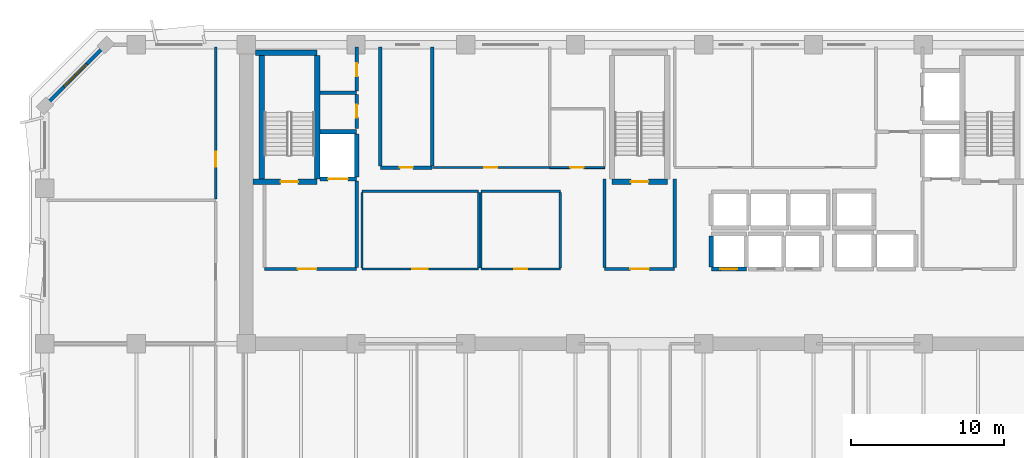
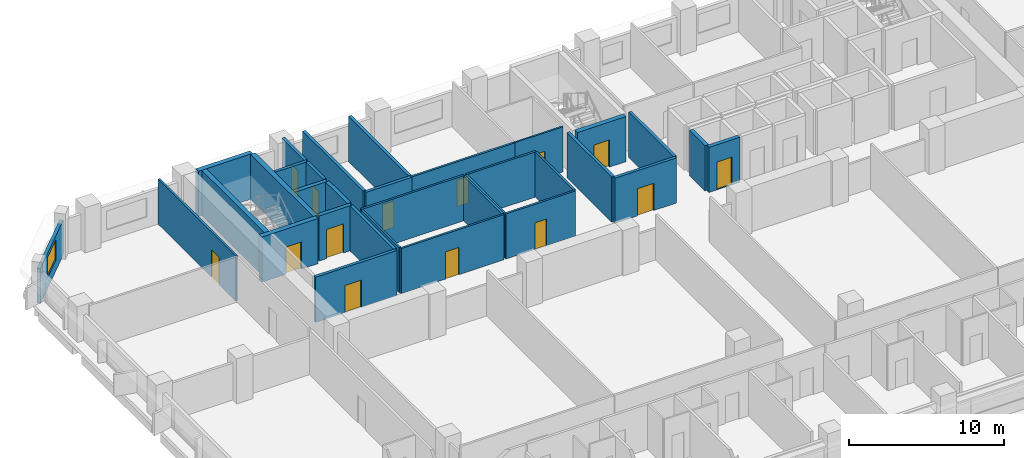
# One storey, part 7 of 15: 33 walls, 14 doors, 1 window, 15 openings.
"""IFC4 building model written with IfcOpenShell, lengths in metres."""

from ifc_helpers import new_model, si_unit, direction, frame, frame_2d, origin, place, context, subcontext, project, spatial, rectangle, extrude, material, layer, layer_set, type_object, element, fill, save


model = new_model("IFC4")

# Units and contexts
model_context = context("Model", 3, precision=1e-05, world=origin(), true_north=direction((0.0, 1.0)))
body_context = subcontext(model_context, "Body", "Model", "MODEL_VIEW")
ifc_project = project(units=[si_unit("LENGTHUNIT", "METRE"), si_unit("AREAUNIT", "SQUARE_METRE"), si_unit("VOLUMEUNIT", "CUBIC_METRE"), si_unit("PLANEANGLEUNIT", "RADIAN"), si_unit("MASSUNIT", "GRAM", prefix="KILO")], contexts=[model_context])

# Site, building, storey
site_placement = place(None, origin())
site = spatial("IfcSite", under=ifc_project, at=site_placement, CompositionType="ELEMENT")
building_placement = place(site_placement, origin())
building = spatial("IfcBuilding", under=site, at=building_placement, Name="Kaelvorn Grand Hotel", CompositionType="ELEMENT")
storey_placement = place(building_placement, frame((0.0, 0.0, 142.949951171875)))
storey = spatial("IfcBuildingStorey", under=building, at=storey_placement, Name="L34", CompositionType="ELEMENT", Elevation=142.949951171875)

# Wall, opening, window
ifc_material_1 = material(Name="Concrete C40/50", Category="concrete")
ifc_layer_1 = layer(ifc_material_1, 0.239990234375)
ifc_layer_set_1 = layer_set([ifc_layer_1], Name="Concrete C40/50")
wall_type_1 = type_object("IfcWallType", Name="WL-EXT-240-C40", PredefinedType="SOLIDWALL", material=ifc_layer_set_1)
wall_1_placement = place(storey_placement, frame((7.0, 49.0, 0.0), z_axis=(0.0, 0.0, 1.0), x_axis=(-0.707106781187, -0.707106781187, 0.0)))
wall_1 = element("IfcWall", 1, at=wall_1_placement, inside=storey, type_object=wall_type_1, Name="L34 Exterior Architectural Concrete Wall 06", PredefinedType="SOLIDWALL", context=body_context, shape_type="SweptSolid", body=[
    extrude(rectangle(XDim=5.65673828125, YDim=0.239990234375, at=frame_2d((2.828369140625, 0.0))), origin(), (0.0, 0.0, 1.0), 2.760009765625),
])
opening_1_placement = place(wall_1_placement, frame((1.7783203125, 0.0, 0.85009765625)))
opening_1 = element("IfcOpeningElement", 2, at=opening_1_placement, cuts=wall_1, Name="Opening W7", PredefinedType="OPENING", context=body_context, shape_type="SweptSolid", body=[
    extrude(rectangle(XDim=2.10009765625, YDim=1.60009765625, at=frame_2d((1.050048828125, 0.800048828125))), frame((0.0, 0.1298828125, 0.0), z_axis=(0.0, -1.0, 0.0), x_axis=(1.0, 0.0, 0.0)), (0.0, 0.0, 1.0), 0.260009765625),
])
ifc_material_2 = material(Name="Laminated Low-E Glass", Category="glass")
window_type = type_object("IfcWindowType", Name="WIN-CHM-2100x1600", PartitioningType="SINGLE_PANEL", PredefinedType="WINDOW", material=ifc_material_2)
window_placement = place(opening_1_placement, origin())
window = element("IfcWindow", 3, at=window_placement, inside=storey, type_object=window_type, Name="L34 Chamfered 45-Degree Corner Window NW", OverallHeight=1.60009765625, OverallWidth=2.10009765625, PartitioningType="SINGLE_PANEL", PredefinedType="WINDOW", context=body_context, shape_type="SweptSolid", body=[
    extrude(rectangle(XDim=2.10009765625, YDim=1.60009765625, at=frame_2d((1.050048828125, 0.800048828125))), frame((0.0, 0.030029296875, 0.0), z_axis=(0.0, -1.0, 0.0), x_axis=(1.0, 0.0, 0.0)), (0.0, 0.0, 1.0), 0.06005859375),
])
fill(opening_1, window)

# Wall, opening, door
ifc_material_3 = material(Name="Moisture-Resistant Tile & Stud Board")
ifc_layer_2 = layer(ifc_material_3, 0.125)
ifc_layer_set_2 = layer_set([ifc_layer_2], Name="Moisture-Resistant Tile & Stud Board")
wall_type_2 = type_object("IfcWallType", Name="WL-PART-125-WET", PredefinedType="PARTITIONING", material=ifc_layer_set_2)
wall_2_placement = place(storey_placement, frame((36.110107421875, 40.949951171875, 0.0), z_axis=(0.0, 0.0, 1.0), x_axis=(1.0, 0.0, 0.0)))
wall_2 = element("IfcWall", 4, at=wall_2_placement, inside=storey, type_object=wall_type_2, Name="L34 Accessible WC S Partition", PredefinedType="PARTITIONING", context=body_context, shape_type="SweptSolid", body=[
    extrude(rectangle(XDim=3.58984375, YDim=0.125, at=frame_2d((1.794921875, 0.0))), origin(), (0.0, 0.0, 1.0), 3.56005859375),
])
opening_2_placement = place(wall_2_placement, frame((1.340087890625, 0.0, 0.0)))
opening_2 = element("IfcOpeningElement", 5, at=opening_2_placement, cuts=wall_2, Name="Opening DI4", PredefinedType="OPENING", context=body_context, shape_type="SweptSolid", body=[
    extrude(rectangle(XDim=0.89990234375, YDim=2.10009765625, at=frame_2d((0.449951171875, 1.050048828125))), frame((0.0, 0.072509765625, 0.0), z_axis=(0.0, -1.0, 0.0), x_axis=(1.0, 0.0, 0.0)), (0.0, 0.0, 1.0), 0.14501953125),
])
ifc_material_4 = material(Name="Timber Veneer Leaf", Category="wood")
door_type_1 = type_object("IfcDoorType", Name="DR-INT-BATH-900x2100", OperationType="NOTDEFINED", PredefinedType="DOOR", material=ifc_material_4)
door_1_placement = place(opening_2_placement, origin())
door_1 = element("IfcDoor", 6, at=door_1_placement, inside=storey, type_object=door_type_1, Name="L34 Accessible WC Door", OperationType="SINGLE_SWING_RIGHT", OverallHeight=2.10009765625, OverallWidth=0.89990234375, PredefinedType="DOOR", context=body_context, shape_type="SweptSolid", body=[
    extrude(rectangle(XDim=0.89990234375, YDim=2.10009765625, at=frame_2d((0.449951171875, 1.050048828125))), frame((0.0, 0.02490234375, 0.0), z_axis=(0.0, -1.0, 0.0), x_axis=(1.0, 0.0, 0.0)), (0.0, 0.0, 1.0), 0.050048828125),
])
fill(opening_2, door_1)

ifc_material_5 = material(Name="Acoustic Gypsum & Stud Partition")
ifc_layer_3 = layer(ifc_material_5, 0.14990234375)
ifc_layer_set_3 = layer_set([ifc_layer_3], Name="Acoustic Gypsum & Stud Partition")
wall_type_3 = type_object("IfcWallType", Name="WL-PART-150-EI60", PredefinedType="PARTITIONING", material=ifc_layer_set_3)
wall_3_placement = place(storey_placement, frame((31.60009765625, 34.300048828125, 0.0), z_axis=(0.0, 0.0, 1.0), x_axis=(1.0, 0.0, 0.0)))
wall_3 = element("IfcWall", 7, at=wall_3_placement, inside=storey, type_object=wall_type_3, Name="L34 Core Telecoms & BMS Server Room S Partition", PredefinedType="PARTITIONING", context=body_context, shape_type="SweptSolid", body=[
    extrude(rectangle(XDim=5.199951171875, YDim=0.14990234375, at=frame_2d((2.60009765625, 0.0))), origin(), (0.0, 0.0, 1.0), 3.56005859375),
])
opening_3_placement = place(wall_3_placement, frame((2.175048828125, 0.0, 0.0)))
opening_3 = element("IfcOpeningElement", 8, at=opening_3_placement, cuts=wall_3, Name="Opening DI7", PredefinedType="OPENING", context=body_context, shape_type="SweptSolid", body=[
    extrude(rectangle(XDim=0.85009765625, YDim=2.10009765625, at=frame_2d((0.425048828125, 1.050048828125))), frame((0.0, 0.0849609375, 0.0), z_axis=(0.0, -1.0, 0.0), x_axis=(1.0, 0.0, 0.0)), (0.0, 0.0, 1.0), 0.169921875),
])
ifc_material_6 = material(Name="Powder-Coated Steel Leaf", Category="steel")
door_type_2 = type_object("IfcDoorType", Name="DR-INT-RISER-850x2100", OperationType="NOTDEFINED", PredefinedType="DOOR", material=ifc_material_6)
door_2_placement = place(opening_3_placement, origin())
door_2 = element("IfcDoor", 9, at=door_2_placement, inside=storey, type_object=door_type_2, Name="L34 Core Telecoms & BMS Server Room Door", OperationType="SINGLE_SWING_RIGHT", OverallHeight=2.10009765625, OverallWidth=0.85009765625, PredefinedType="DOOR", context=body_context, shape_type="SweptSolid", body=[
    extrude(rectangle(XDim=0.85009765625, YDim=2.10009765625, at=frame_2d((0.425048828125, 1.050048828125))), frame((0.0, 0.02490234375, 0.0), z_axis=(0.0, -1.0, 0.0), x_axis=(1.0, 0.0, 0.0)), (0.0, 0.0, 1.0), 0.050048828125),
])
fill(opening_3, door_2)

# Walls
wall_4_placement = place(storey_placement, frame((31.60009765625, 39.39990234375, 0.0), z_axis=(0.0, 0.0, 1.0), x_axis=(1.0, 0.0, 0.0)))
element("IfcWall", 10, at=wall_4_placement, inside=storey, type_object=wall_type_3, Name="L34 Core Telecoms & BMS Server Room N Partition", PredefinedType="PARTITIONING", context=body_context, shape_type="SweptSolid", body=[
    extrude(rectangle(XDim=5.199951171875, YDim=0.14990234375, at=frame_2d((2.60009765625, 0.0))), origin(), (0.0, 0.0, 1.0), 3.56005859375),
])
for number, where, z_axis, x_axis, name in (
    (11, (31.60009765625, 34.3798828125, 0.0), (0.0, 0.0, 1.0), (0.0, 1.0, 0.0), "L34 Core Telecoms & BMS Server Room W Partition"),
    (12, (36.800048828125, 34.3798828125, 0.0), (0.0, 0.0, 1.0), (0.0, 1.0, 0.0), "L34 Core Telecoms & BMS Server Room E Partition"),
):
    element("IfcWall", number, at=place(storey_placement, frame(where, z_axis=z_axis, x_axis=x_axis)), inside=storey, type_object=wall_type_3, Name=name, PredefinedType="PARTITIONING", context=body_context, shape_type="SweptSolid", body=[
        extrude(rectangle(XDim=4.940185546875, YDim=0.14990234375, at=frame_2d((2.47021484375, 0.0))), origin(), (0.0, 0.0, 1.0), 3.56005859375),
    ])

# Wall, opening, door
wall_5_placement = place(storey_placement, frame((23.800048828125, 34.300048828125, 0.0), z_axis=(0.0, 0.0, 1.0), x_axis=(1.0, 0.0, 0.0)))
wall_5 = element("IfcWall", 13, at=wall_5_placement, inside=storey, type_object=wall_type_3, Name="L34 Executive Club Sitting Lounge S Partition", PredefinedType="PARTITIONING", context=body_context, shape_type="SweptSolid", body=[
    extrude(rectangle(XDim=7.64990234375, YDim=0.14990234375, at=frame_2d((3.824951171875, 0.0))), origin(), (0.0, 0.0, 1.0), 3.56005859375),
])
opening_4_placement = place(wall_5_placement, frame((3.300048828125, 0.0, 0.0)))
opening_4 = element("IfcOpeningElement", 14, at=opening_4_placement, cuts=wall_5, Name="Opening DI3", PredefinedType="OPENING", context=body_context, shape_type="SweptSolid", body=[
    extrude(rectangle(XDim=1.0, YDim=2.14990234375, at=frame_2d((0.5, 1.074951171875))), frame((0.0, 0.0849609375, 0.0), z_axis=(0.0, -1.0, 0.0), x_axis=(1.0, 0.0, 0.0)), (0.0, 0.0, 1.0), 0.169921875),
])
ifc_material_7 = material(Name="Timber Veneer Fire Leaf", Category="wood")
door_type_3 = type_object("IfcDoorType", Name="DR-INT-GUEST-1000x2150", OperationType="NOTDEFINED", PredefinedType="DOOR", material=ifc_material_7)
door_3_placement = place(opening_4_placement, origin())
door_3 = element("IfcDoor", 15, at=door_3_placement, inside=storey, type_object=door_type_3, Name="L34 Executive Club Sitting Lounge Door", OperationType="SINGLE_SWING_LEFT", OverallHeight=2.14990234375, OverallWidth=1.0, PredefinedType="DOOR", context=body_context, shape_type="SweptSolid", body=[
    extrude(rectangle(XDim=1.0, YDim=2.14990234375, at=frame_2d((0.5, 1.074951171875))), frame((0.0, 0.02490234375, 0.0), z_axis=(0.0, -1.0, 0.0), x_axis=(1.0, 0.0, 0.0)), (0.0, 0.0, 1.0), 0.050048828125),
])
fill(opening_4, door_3)

# Walls
wall_6_placement = place(storey_placement, frame((23.800048828125, 39.39990234375, 0.0), z_axis=(0.0, 0.0, 1.0), x_axis=(1.0, 0.0, 0.0)))
element("IfcWall", 16, at=wall_6_placement, inside=storey, type_object=wall_type_3, Name="L34 Executive Club Sitting Lounge N Partition", PredefinedType="PARTITIONING", context=body_context, shape_type="SweptSolid", body=[
    extrude(rectangle(XDim=7.64990234375, YDim=0.14990234375, at=frame_2d((3.824951171875, 0.0))), origin(), (0.0, 0.0, 1.0), 3.56005859375),
])
for number, where, z_axis, x_axis, name in (
    (17, (23.800048828125, 34.3798828125, 0.0), (0.0, 0.0, 1.0), (0.0, 1.0, 0.0), "L34 Executive Club Sitting Lounge W Partition"),
    (18, (31.449951171875, 34.3798828125, 0.0), (0.0, 0.0, 1.0), (0.0, 1.0, 0.0), "L34 Executive Club Sitting Lounge E Partition"),
):
    element("IfcWall", number, at=place(storey_placement, frame(where, z_axis=z_axis, x_axis=x_axis)), inside=storey, type_object=wall_type_3, Name=name, PredefinedType="PARTITIONING", context=body_context, shape_type="SweptSolid", body=[
        extrude(rectangle(XDim=4.940185546875, YDim=0.14990234375, at=frame_2d((2.47021484375, 0.0))), origin(), (0.0, 0.0, 1.0), 3.56005859375),
    ])

# Wall, opening, door
wall_7_placement = place(storey_placement, frame((28.409912109375, 40.949951171875, 0.0), z_axis=(0.0, 0.0, 1.0), x_axis=(1.0, 0.0, 0.0)))
wall_7 = element("IfcWall", 19, at=wall_7_placement, inside=storey, type_object=wall_type_3, Name="L34 Housekeeping & Linen Room S Partition", PredefinedType="PARTITIONING", context=body_context, shape_type="SweptSolid", body=[
    extrude(rectangle(XDim=7.690185546875, YDim=0.14990234375, at=frame_2d((3.84521484375, 0.0))), origin(), (0.0, 0.0, 1.0), 3.56005859375),
])
opening_5_placement = place(wall_7_placement, frame((3.4150390625, 0.0, 0.0)))
opening_5 = element("IfcOpeningElement", 20, at=opening_5_placement, cuts=wall_7, Name="Opening DI7", PredefinedType="OPENING", context=body_context, shape_type="SweptSolid", body=[
    extrude(rectangle(XDim=0.85009765625, YDim=2.10009765625, at=frame_2d((0.425048828125, 1.050048828125))), frame((0.0, 0.0849609375, 0.0), z_axis=(0.0, -1.0, 0.0), x_axis=(1.0, 0.0, 0.0)), (0.0, 0.0, 1.0), 0.169921875),
])
door_4_placement = place(opening_5_placement, origin())
door_4 = element("IfcDoor", 21, at=door_4_placement, inside=storey, type_object=door_type_2, Name="L34 Housekeeping & Linen Room Door", OperationType="SINGLE_SWING_LEFT", OverallHeight=2.10009765625, OverallWidth=0.85009765625, PredefinedType="DOOR", context=body_context, shape_type="SweptSolid", body=[
    extrude(rectangle(XDim=0.85009765625, YDim=2.10009765625, at=frame_2d((0.425048828125, 1.050048828125))), frame((0.0, 0.02490234375, 0.0), z_axis=(0.0, -1.0, 0.0), x_axis=(1.0, 0.0, 0.0)), (0.0, 0.0, 1.0), 0.050048828125),
])
fill(opening_5, door_4)

wall_8_placement = place(storey_placement, frame((14.199951171875, 38.8798828125, 0.0), z_axis=(0.0, 0.0, 1.0), x_axis=(0.0, 1.0, 0.0)))
wall_8 = element("IfcWall", 22, at=wall_8_placement, inside=storey, type_object=wall_type_3, Name="L34 North-West Hospitality Tea Kitchen E Partition", PredefinedType="PARTITIONING", context=body_context, shape_type="SweptSolid", body=[
    extrude(rectangle(XDim=9.97021484375, YDim=0.14990234375, at=frame_2d((4.985107421875, 0.0))), origin(), (0.0, 0.0, 1.0), 3.56005859375),
])
opening_6_placement = place(wall_8_placement, frame((2.1201171875, 0.0, 0.0)))
opening_6 = element("IfcOpeningElement", 23, at=opening_6_placement, cuts=wall_8, Name="Opening DI3", PredefinedType="OPENING", context=body_context, shape_type="SweptSolid", body=[
    extrude(rectangle(XDim=1.0, YDim=2.14990234375, at=frame_2d((0.5, 1.074951171875))), frame((0.0, 0.0849609375, 0.0), z_axis=(0.0, -1.0, 0.0), x_axis=(1.0, 0.0, 0.0)), (0.0, 0.0, 1.0), 0.169921875),
])
door_5_placement = place(opening_6_placement, origin())
door_5 = element("IfcDoor", 24, at=door_5_placement, inside=storey, type_object=door_type_3, Name="L34 North-West Hospitality Tea Kitchen Door", OperationType="SINGLE_SWING_RIGHT", OverallHeight=2.14990234375, OverallWidth=1.0, PredefinedType="DOOR", context=body_context, shape_type="SweptSolid", body=[
    extrude(rectangle(XDim=1.0, YDim=2.14990234375, at=frame_2d((0.5, 1.074951171875))), frame((0.0, 0.02490234375, 0.0), z_axis=(0.0, -1.0, 0.0), x_axis=(1.0, 0.0, 0.0)), (0.0, 0.0, 1.0), 0.050048828125),
])
fill(opening_6, door_5)

ifc_layer_4 = layer(ifc_material_1, 0.219970703125)
ifc_layer_set_4 = layer_set([ifc_layer_4], Name="Concrete C40/50")
wall_type_4 = type_object("IfcWallType", Name="WL-PART-220-EI120", PredefinedType="PARTITIONING", material=ifc_layer_set_4)
wall_9_placement = place(storey_placement, frame((17.39990234375, 34.300048828125, 0.0), z_axis=(0.0, 0.0, 1.0), x_axis=(1.0, 0.0, 0.0)))
wall_9 = element("IfcWall", 25, at=wall_9_placement, inside=storey, type_object=wall_type_4, Name="L34 Firefighting Lift Lobby 1 S Partition", PredefinedType="PARTITIONING", context=body_context, shape_type="SweptSolid", body=[
    extrude(rectangle(XDim=6.050048828125, YDim=0.219970703125, at=frame_2d((3.02490234375, 0.0))), origin(), (0.0, 0.0, 1.0), 3.56005859375),
])
opening_7_placement = place(wall_9_placement, frame((2.199951171875, 0.0, 0.0)))
opening_7 = element("IfcOpeningElement", 26, at=opening_7_placement, cuts=wall_9, Name="Opening DI2", PredefinedType="OPENING", context=body_context, shape_type="SweptSolid", body=[
    extrude(rectangle(XDim=1.199951171875, YDim=2.14990234375, at=frame_2d((0.60009765625, 1.074951171875))), frame((0.0, 0.1201171875, 0.0), z_axis=(0.0, -1.0, 0.0), x_axis=(1.0, 0.0, 0.0)), (0.0, 0.0, 1.0), 0.239990234375),
])
door_type_4 = type_object("IfcDoorType", Name="DR-INT-FFLOB-1200x2150", OperationType="NOTDEFINED", PredefinedType="DOOR", material=ifc_material_7)
door_6_placement = place(opening_7_placement, origin())
door_6 = element("IfcDoor", 27, at=door_6_placement, inside=storey, type_object=door_type_4, Name="L34 Firefighting Lift Lobby 1 Door", OperationType="SINGLE_SWING_RIGHT", OverallHeight=2.14990234375, OverallWidth=1.199951171875, PredefinedType="DOOR", context=body_context, shape_type="SweptSolid", body=[
    extrude(rectangle(XDim=1.199951171875, YDim=2.14990234375, at=frame_2d((0.60009765625, 1.074951171875))), frame((0.0, 0.02490234375, 0.0), z_axis=(0.0, -1.0, 0.0), x_axis=(1.0, 0.0, 0.0)), (0.0, 0.0, 1.0), 0.050048828125),
])
fill(opening_7, door_6)

# Wall
wall_10_placement = place(storey_placement, frame((23.449951171875, 34.4150390625, 0.0), z_axis=(0.0, 0.0, 1.0), x_axis=(0.0, 1.0, 0.0)))
element("IfcWall", 28, at=wall_10_placement, inside=storey, type_object=wall_type_4, Name="L34 Firefighting Lift Lobby 1 E Partition", PredefinedType="PARTITIONING", context=body_context, shape_type="SweptSolid", body=[
    extrude(rectangle(XDim=5.639892578125, YDim=0.219970703125, at=frame_2d((2.81982421875, 0.0))), origin(), (0.0, 0.0, 1.0), 3.56005859375),
])

# Wall, opening, door
wall_11_placement = place(storey_placement, frame((39.699951171875, 34.300048828125, 0.0), z_axis=(0.0, 0.0, 1.0), x_axis=(1.0, 0.0, 0.0)))
wall_11 = element("IfcWall", 29, at=wall_11_placement, inside=storey, type_object=wall_type_4, Name="L34 Central Stair Escape Vestibule S Partition", PredefinedType="PARTITIONING", context=body_context, shape_type="SweptSolid", body=[
    extrude(rectangle(XDim=4.60009765625, YDim=0.219970703125, at=frame_2d((2.300048828125, 0.0))), origin(), (0.0, 0.0, 1.0), 3.56005859375),
])
opening_8_placement = place(wall_11_placement, frame((1.699951171875, 0.0, 0.0)))
opening_8 = element("IfcOpeningElement", 30, at=opening_8_placement, cuts=wall_11, Name="Opening DI2", PredefinedType="OPENING", context=body_context, shape_type="SweptSolid", body=[
    extrude(rectangle(XDim=1.199951171875, YDim=2.14990234375, at=frame_2d((0.60009765625, 1.074951171875))), frame((0.0, 0.1201171875, 0.0), z_axis=(0.0, -1.0, 0.0), x_axis=(1.0, 0.0, 0.0)), (0.0, 0.0, 1.0), 0.239990234375),
])
door_7_placement = place(opening_8_placement, origin())
door_7 = element("IfcDoor", 31, at=door_7_placement, inside=storey, type_object=door_type_4, Name="L34 Central Stair Escape Vestibule Door", OperationType="SINGLE_SWING_RIGHT", OverallHeight=2.14990234375, OverallWidth=1.199951171875, PredefinedType="DOOR", context=body_context, shape_type="SweptSolid", body=[
    extrude(rectangle(XDim=1.199951171875, YDim=2.14990234375, at=frame_2d((0.60009765625, 1.074951171875))), frame((0.0, 0.02490234375, 0.0), z_axis=(0.0, -1.0, 0.0), x_axis=(1.0, 0.0, 0.0)), (0.0, 0.0, 1.0), 0.050048828125),
])
fill(opening_8, door_7)

# Walls
for number, where, z_axis, x_axis, name in (
    (32, (39.699951171875, 34.4150390625, 0.0), (0.0, 0.0, 1.0), (0.0, 1.0, 0.0), "L34 Central Stair Escape Vestibule W Partition"),
    (33, (44.300048828125, 34.4150390625, 0.0), (0.0, 0.0, 1.0), (0.0, 1.0, 0.0), "L34 Central Stair Escape Vestibule E Partition"),
):
    element("IfcWall", number, at=place(storey_placement, frame(where, z_axis=z_axis, x_axis=x_axis)), inside=storey, type_object=wall_type_4, Name=name, PredefinedType="PARTITIONING", context=body_context, shape_type="SweptSolid", body=[
        extrude(rectangle(XDim=5.784912109375, YDim=0.219970703125, at=frame_2d((2.892578125, 0.0))), origin(), (0.0, 0.0, 1.0), 3.56005859375),
    ])
wall_12_placement = place(storey_placement, frame((21.034912109375, 45.85009765625, 0.0), z_axis=(0.0, 0.0, 1.0), x_axis=(1.0, 0.0, 0.0)))
element("IfcWall", 34, at=wall_12_placement, inside=storey, type_object=wall_type_4, Name="L34 Wet Fire & Plumbing Riser Shaft N Partition", PredefinedType="PARTITIONING", context=body_context, shape_type="SweptSolid", body=[
    extrude(rectangle(XDim=2.4150390625, YDim=0.219970703125, at=frame_2d((1.20751953125, 0.0))), origin(), (0.0, 0.0, 1.0), 3.56005859375),
])

# Wall, opening, door
wall_13_placement = place(storey_placement, frame((23.449951171875, 43.5, 0.0), z_axis=(0.0, 0.0, 1.0), x_axis=(0.0, 1.0, 0.0)))
wall_13 = element("IfcWall", 35, at=wall_13_placement, inside=storey, type_object=wall_type_4, Name="L34 Wet Fire & Plumbing Riser Shaft E Partition", PredefinedType="PARTITIONING", context=body_context, shape_type="SweptSolid", body=[
    extrude(rectangle(XDim=2.235107421875, YDim=0.219970703125, at=frame_2d((1.11767578125, 0.0))), origin(), (0.0, 0.0, 1.0), 3.56005859375),
])
opening_9_placement = place(wall_13_placement, frame((0.72509765625, 0.0, 0.0)))
opening_9 = element("IfcOpeningElement", 36, at=opening_9_placement, cuts=wall_13, Name="Opening DI7", PredefinedType="OPENING", context=body_context, shape_type="SweptSolid", body=[
    extrude(rectangle(XDim=0.85009765625, YDim=2.10009765625, at=frame_2d((0.425048828125, 1.050048828125))), frame((0.0, 0.1201171875, 0.0), z_axis=(0.0, -1.0, 0.0), x_axis=(1.0, 0.0, 0.0)), (0.0, 0.0, 1.0), 0.239990234375),
])
door_8_placement = place(opening_9_placement, origin())
door_8 = element("IfcDoor", 37, at=door_8_placement, inside=storey, type_object=door_type_2, Name="L34 Wet Fire & Plumbing Riser Shaft Door", OperationType="SINGLE_SWING_RIGHT", OverallHeight=2.10009765625, OverallWidth=0.85009765625, PredefinedType="DOOR", context=body_context, shape_type="SweptSolid", body=[
    extrude(rectangle(XDim=0.85009765625, YDim=2.10009765625, at=frame_2d((0.425048828125, 1.050048828125))), frame((0.0, 0.02490234375, 0.0), z_axis=(0.0, -1.0, 0.0), x_axis=(1.0, 0.0, 0.0)), (0.0, 0.0, 1.0), 0.050048828125),
])
fill(opening_9, door_8)

wall_14_placement = place(storey_placement, frame((23.449951171875, 45.965087890625, 0.0), z_axis=(0.0, 0.0, 1.0), x_axis=(0.0, 1.0, 0.0)))
wall_14 = element("IfcWall", 38, at=wall_14_placement, inside=storey, type_object=wall_type_4, Name="L34 HV Electrical & Smoke Riser E Partition", PredefinedType="PARTITIONING", context=body_context, shape_type="SweptSolid", body=[
    extrude(rectangle(XDim=2.885009765625, YDim=0.219970703125, at=frame_2d((1.4423828125, 0.0))), origin(), (0.0, 0.0, 1.0), 3.56005859375),
])
opening_10_placement = place(wall_14_placement, frame((0.9599609375, 0.0, 0.0)))
opening_10 = element("IfcOpeningElement", 39, at=opening_10_placement, cuts=wall_14, Name="Opening DI7", PredefinedType="OPENING", context=body_context, shape_type="SweptSolid", body=[
    extrude(rectangle(XDim=0.85009765625, YDim=2.10009765625, at=frame_2d((0.425048828125, 1.050048828125))), frame((0.0, 0.1201171875, 0.0), z_axis=(0.0, -1.0, 0.0), x_axis=(1.0, 0.0, 0.0)), (0.0, 0.0, 1.0), 0.239990234375),
])
door_9_placement = place(opening_10_placement, origin())
door_9 = element("IfcDoor", 40, at=door_9_placement, inside=storey, type_object=door_type_2, Name="L34 HV Electrical & Smoke Riser Door", OperationType="SINGLE_SWING_LEFT", OverallHeight=2.10009765625, OverallWidth=0.85009765625, PredefinedType="DOOR", context=body_context, shape_type="SweptSolid", body=[
    extrude(rectangle(XDim=0.85009765625, YDim=2.10009765625, at=frame_2d((0.425048828125, 1.050048828125))), frame((0.0, 0.02490234375, 0.0), z_axis=(0.0, -1.0, 0.0), x_axis=(1.0, 0.0, 0.0)), (0.0, 0.0, 1.0), 0.050048828125),
])
fill(opening_10, door_9)

wall_15_placement = place(storey_placement, frame((25.0, 40.949951171875, 0.0), z_axis=(0.0, 0.0, 1.0), x_axis=(1.0, 0.0, 0.0)))
wall_15 = element("IfcWall", 41, at=wall_15_placement, inside=storey, type_object=wall_type_4, Name="L34 Electrical Distribution Room S Partition", PredefinedType="PARTITIONING", context=body_context, shape_type="SweptSolid", body=[
    extrude(rectangle(XDim=3.39990234375, YDim=0.219970703125, at=frame_2d((1.699951171875, 0.0))), origin(), (0.0, 0.0, 1.0), 3.56005859375),
])
opening_11_placement = place(wall_15_placement, frame((1.27490234375, 0.0, 0.0)))
opening_11 = element("IfcOpeningElement", 42, at=opening_11_placement, cuts=wall_15, Name="Opening DI7", PredefinedType="OPENING", context=body_context, shape_type="SweptSolid", body=[
    extrude(rectangle(XDim=0.85009765625, YDim=2.10009765625, at=frame_2d((0.425048828125, 1.050048828125))), frame((0.0, 0.1201171875, 0.0), z_axis=(0.0, -1.0, 0.0), x_axis=(1.0, 0.0, 0.0)), (0.0, 0.0, 1.0), 0.239990234375),
])
door_10_placement = place(opening_11_placement, origin())
door_10 = element("IfcDoor", 43, at=door_10_placement, inside=storey, type_object=door_type_2, Name="L34 Electrical Distribution Room Door", OperationType="SINGLE_SWING_RIGHT", OverallHeight=2.10009765625, OverallWidth=0.85009765625, PredefinedType="DOOR", context=body_context, shape_type="SweptSolid", body=[
    extrude(rectangle(XDim=0.85009765625, YDim=2.10009765625, at=frame_2d((0.425048828125, 1.050048828125))), frame((0.0, 0.02490234375, 0.0), z_axis=(0.0, -1.0, 0.0), x_axis=(1.0, 0.0, 0.0)), (0.0, 0.0, 1.0), 0.050048828125),
])
fill(opening_11, door_10)

# Walls
for number, where, z_axis, x_axis, name in (
    (44, (25.0, 41.06494140625, 0.0), (0.0, 0.0, 1.0), (0.0, 1.0, 0.0), "L34 Electrical Distribution Room W Partition"),
    (45, (28.39990234375, 41.06494140625, 0.0), (0.0, 0.0, 1.0), (0.0, 1.0, 0.0), "L34 Electrical Distribution Room E Partition"),
):
    element("IfcWall", number, at=place(storey_placement, frame(where, z_axis=z_axis, x_axis=x_axis)), inside=storey, type_object=wall_type_4, Name=name, PredefinedType="PARTITIONING", context=body_context, shape_type="SweptSolid", body=[
        extrude(rectangle(XDim=7.78515625, YDim=0.219970703125, at=frame_2d((3.892578125, 0.0))), origin(), (0.0, 0.0, 1.0), 3.56005859375),
    ])

# Wall, opening, door
ifc_material_8 = material(Name="Concrete C50/60", Category="concrete")
ifc_layer_5 = layer(ifc_material_8, 0.280029296875)
ifc_layer_set_5 = layer_set([ifc_layer_5], Name="Concrete C50/60")
wall_type_5 = type_object("IfcWallType", Name="WL-SHAFT-280-C50", PredefinedType="SHEAR", material=ifc_layer_set_5)
wall_16_placement = place(storey_placement, frame((46.699951171875, 34.300048828125, 0.0), z_axis=(0.0, 0.0, 1.0), x_axis=(1.0, 0.0, 0.0)))
wall_16 = element("IfcWall", 46, at=wall_16_placement, inside=storey, type_object=wall_type_5, Name="L34 Lift PL-M1 Shaft South Wall", PredefinedType="SHEAR", context=body_context, shape_type="SweptSolid", body=[
    extrude(rectangle(XDim=2.300048828125, YDim=0.280029296875, at=frame_2d((1.14990234375, 0.0))), origin(), (0.0, 0.0, 1.0), 3.56005859375),
])
opening_12_placement = place(wall_16_placement, frame((0.60009765625, 0.0, 0.0)))
opening_12 = element("IfcOpeningElement", 47, at=opening_12_placement, cuts=wall_16, Name="Opening LD-PL-M1", PredefinedType="OPENING", context=body_context, shape_type="SweptSolid", body=[
    extrude(rectangle(XDim=1.10009765625, YDim=2.199951171875, at=frame_2d((0.550048828125, 1.10009765625))), frame((0.0, 0.14990234375, 0.0), z_axis=(0.0, -1.0, 0.0), x_axis=(1.0, 0.0, 0.0)), (0.0, 0.0, 1.0), 0.300048828125),
])
ifc_material_9 = material(Name="Stainless Steel", Category="steel")
door_type_5 = type_object("IfcDoorType", Name="DR-LIFT-PASS-1100x2200", OperationType="DOUBLE_DOOR_SLIDING", PredefinedType="DOOR", material=ifc_material_9)
door_11_placement = place(opening_12_placement, origin())
door_11 = element("IfcDoor", 48, at=door_11_placement, inside=storey, type_object=door_type_5, Name="L34 Lift PL-M1 Sliding Landing Door LD-PL-M1", OperationType="DOUBLE_DOOR_SLIDING", OverallHeight=2.199951171875, OverallWidth=1.10009765625, PredefinedType="DOOR", context=body_context, shape_type="SweptSolid", body=[
    extrude(rectangle(XDim=1.10009765625, YDim=2.199951171875, at=frame_2d((0.550048828125, 1.10009765625))), frame((0.0, 0.02490234375, 0.0), z_axis=(0.0, -1.0, 0.0), x_axis=(1.0, 0.0, 0.0)), (0.0, 0.0, 1.0), 0.050048828125),
])
fill(opening_12, door_11)

# Wall
wall_17_placement = place(storey_placement, frame((46.699951171875, 34.445068359375, 0.0), z_axis=(0.0, 0.0, 1.0), x_axis=(0.0, 1.0, 0.0)))
element("IfcWall", 49, at=wall_17_placement, inside=storey, type_object=wall_type_5, Name="L34 Lift PL-M1 Shaft West Wall", PredefinedType="SHEAR", context=body_context, shape_type="SweptSolid", body=[
    extrude(rectangle(XDim=2.010009765625, YDim=0.280029296875, at=frame_2d((1.0048828125, 0.0))), origin(), (0.0, 0.0, 1.0), 3.56005859375),
])

# Wall, opening, door
wall_18_placement = place(storey_placement, frame((21.034912109375, 40.199951171875, 0.0), z_axis=(0.0, 0.0, 1.0), x_axis=(1.0, 0.0, 0.0)))
wall_18 = element("IfcWall", 50, at=wall_18_placement, inside=storey, type_object=wall_type_5, Name="L34 Lift FFL1 Shaft South Wall", PredefinedType="SHEAR", context=body_context, shape_type="SweptSolid", body=[
    extrude(rectangle(XDim=2.4150390625, YDim=0.280029296875, at=frame_2d((1.20751953125, 0.0))), origin(), (0.0, 0.0, 1.0), 3.56005859375),
])
opening_13_placement = place(wall_18_placement, frame((0.5400390625, 0.0, 0.0)))
opening_13 = element("IfcOpeningElement", 51, at=opening_13_placement, cuts=wall_18, Name="Opening LD-FFL1", PredefinedType="OPENING", context=body_context, shape_type="SweptSolid", body=[
    extrude(rectangle(XDim=1.300048828125, YDim=2.300048828125, at=frame_2d((0.64990234375, 1.14990234375))), frame((0.0, 0.14990234375, 0.0), z_axis=(0.0, -1.0, 0.0), x_axis=(1.0, 0.0, 0.0)), (0.0, 0.0, 1.0), 0.300048828125),
])
door_type_6 = type_object("IfcDoorType", Name="DR-LIFT-SERV-1300x2300", OperationType="DOUBLE_DOOR_SLIDING", PredefinedType="DOOR", material=ifc_material_9)
door_12_placement = place(opening_13_placement, origin())
door_12 = element("IfcDoor", 52, at=door_12_placement, inside=storey, type_object=door_type_6, Name="L34 Lift FFL1 Sliding Landing Door LD-FFL1", OperationType="DOUBLE_DOOR_SLIDING", OverallHeight=2.300048828125, OverallWidth=1.300048828125, PredefinedType="DOOR", context=body_context, shape_type="SweptSolid", body=[
    extrude(rectangle(XDim=1.300048828125, YDim=2.300048828125, at=frame_2d((0.64990234375, 1.14990234375))), frame((0.0, 0.02490234375, 0.0), z_axis=(0.0, -1.0, 0.0), x_axis=(1.0, 0.0, 0.0)), (0.0, 0.0, 1.0), 0.050048828125),
])
fill(opening_13, door_12)

# Walls
wall_19_placement = place(storey_placement, frame((21.034912109375, 43.300048828125, 0.0), z_axis=(0.0, 0.0, 1.0), x_axis=(1.0, 0.0, 0.0)))
element("IfcWall", 53, at=wall_19_placement, inside=storey, type_object=wall_type_5, Name="L34 Lift FFL1 Shaft North Wall", PredefinedType="SHEAR", context=body_context, shape_type="SweptSolid", body=[
    extrude(rectangle(XDim=2.4150390625, YDim=0.280029296875, at=frame_2d((1.20751953125, 0.0))), origin(), (0.0, 0.0, 1.0), 3.56005859375),
])
wall_20_placement = place(storey_placement, frame((23.449951171875, 40.344970703125, 0.0), z_axis=(0.0, 0.0, 1.0), x_axis=(0.0, 1.0, 0.0)))
element("IfcWall", 54, at=wall_20_placement, inside=storey, type_object=wall_type_5, Name="L34 Lift FFL1 Shaft East Wall", PredefinedType="SHEAR", context=body_context, shape_type="SweptSolid", body=[
    extrude(rectangle(XDim=2.81005859375, YDim=0.280029296875, at=frame_2d((1.405029296875, 0.0))), origin(), (0.0, 0.0, 1.0), 3.56005859375),
])

# Wall, opening, door
ifc_material_10 = material(Name="Concrete C60/75", Category="concrete")
ifc_layer_6 = layer(ifc_material_10, 0.35009765625)
ifc_layer_set_6 = layer_set([ifc_layer_6], Name="Concrete C60/75")
wall_type_6 = type_object("IfcWallType", Name="WL-SHAFT-350-C60", PredefinedType="SHEAR", material=ifc_layer_set_6)
wall_21_placement = place(storey_placement, frame((16.655029296875, 40.02490234375, 0.0), z_axis=(0.0, 0.0, 1.0), x_axis=(1.0, 0.0, 0.0)))
wall_21 = element("IfcWall", 55, at=wall_21_placement, inside=storey, type_object=wall_type_6, Name="L34 ST1 Stair Shaft South Wall", PredefinedType="SHEAR", context=body_context, shape_type="SweptSolid", body=[
    extrude(rectangle(XDim=4.199951171875, YDim=0.35009765625, at=frame_2d((2.10009765625, 0.0))), origin(), (0.0, 0.0, 1.0), 3.56005859375),
])
opening_14_placement = place(wall_21_placement, frame((1.81005859375, 0.0, 0.0)))
opening_14 = element("IfcOpeningElement", 56, at=opening_14_placement, cuts=wall_21, Name="Opening DI1", PredefinedType="OPENING", context=body_context, shape_type="SweptSolid", body=[
    extrude(rectangle(XDim=1.14990234375, YDim=2.14990234375, at=frame_2d((0.574951171875, 1.074951171875))), frame((0.0, 0.18505859375, 0.0), z_axis=(0.0, -1.0, 0.0), x_axis=(1.0, 0.0, 0.0)), (0.0, 0.0, 1.0), 0.3701171875),
])
door_type_7 = type_object("IfcDoorType", Name="DR-INT-STAIR-1150x2150", OperationType="NOTDEFINED", PredefinedType="DOOR", material=ifc_material_7)
door_13_placement = place(opening_14_placement, origin())
door_13 = element("IfcDoor", 57, at=door_13_placement, inside=storey, type_object=door_type_7, Name="L34 ST1 Exit Stair Fire Door", OperationType="SINGLE_SWING_LEFT", OverallHeight=2.14990234375, OverallWidth=1.14990234375, PredefinedType="DOOR", context=body_context, shape_type="SweptSolid", body=[
    extrude(rectangle(XDim=1.14990234375, YDim=2.14990234375, at=frame_2d((0.574951171875, 1.074951171875))), frame((0.0, 0.02490234375, 0.0), z_axis=(0.0, -1.0, 0.0), x_axis=(1.0, 0.0, 0.0)), (0.0, 0.0, 1.0), 0.050048828125),
])
fill(opening_14, door_13)

# Walls
wall_22_placement = place(storey_placement, frame((16.804931640625, 48.47509765625, 0.0), z_axis=(0.0, 0.0, 1.0), x_axis=(1.0, 0.0, 0.0)))
element("IfcWall", 58, at=wall_22_placement, inside=storey, type_object=wall_type_6, Name="L34 ST1 Stair Shaft North Wall", PredefinedType="SHEAR", context=body_context, shape_type="SweptSolid", body=[
    extrude(rectangle(XDim=4.050048828125, YDim=0.35009765625, at=frame_2d((2.02490234375, 0.0))), origin(), (0.0, 0.0, 1.0), 3.56005859375),
])
for number, where, z_axis, x_axis, name in (
    (59, (17.22509765625, 40.205078125, 0.0), (0.0, 0.0, 1.0), (0.0, 1.0, 0.0), "L34 ST1 Stair Shaft West Wall"),
    (60, (20.85498046875, 40.205078125, 0.0), (0.0, 0.0, 1.0), (0.0, 1.0, 0.0), "L34 ST1 Stair Shaft East Wall"),
):
    element("IfcWall", number, at=place(storey_placement, frame(where, z_axis=z_axis, x_axis=x_axis)), inside=storey, type_object=wall_type_6, Name=name, PredefinedType="SHEAR", context=body_context, shape_type="SweptSolid", body=[
        extrude(rectangle(XDim=8.08984375, YDim=0.35009765625, at=frame_2d((4.044921875, 0.0))), origin(), (0.0, 0.0, 1.0), 3.56005859375),
    ])

# Wall, opening, door
wall_23_placement = place(storey_placement, frame((40.18505859375, 40.02490234375, 0.0), z_axis=(0.0, 0.0, 1.0), x_axis=(1.0, 0.0, 0.0)))
wall_23 = element("IfcWall", 61, at=wall_23_placement, inside=storey, type_object=wall_type_6, Name="L34 ST2 Stair Shaft South Wall", PredefinedType="SHEAR", context=body_context, shape_type="SweptSolid", body=[
    extrude(rectangle(XDim=3.6298828125, YDim=0.35009765625, at=frame_2d((1.81494140625, 0.0))), origin(), (0.0, 0.0, 1.0), 3.56005859375),
])
opening_15_placement = place(wall_23_placement, frame((1.239990234375, 0.0, 0.0)))
opening_15 = element("IfcOpeningElement", 62, at=opening_15_placement, cuts=wall_23, Name="Opening DI1", PredefinedType="OPENING", context=body_context, shape_type="SweptSolid", body=[
    extrude(rectangle(XDim=1.14990234375, YDim=2.14990234375, at=frame_2d((0.574951171875, 1.074951171875))), frame((0.0, 0.18505859375, 0.0), z_axis=(0.0, -1.0, 0.0), x_axis=(1.0, 0.0, 0.0)), (0.0, 0.0, 1.0), 0.3701171875),
])
door_14_placement = place(opening_15_placement, origin())
door_14 = element("IfcDoor", 63, at=door_14_placement, inside=storey, type_object=door_type_7, Name="L34 ST2 Exit Stair Fire Door", OperationType="SINGLE_SWING_RIGHT", OverallHeight=2.14990234375, OverallWidth=1.14990234375, PredefinedType="DOOR", context=body_context, shape_type="SweptSolid", body=[
    extrude(rectangle(XDim=1.14990234375, YDim=2.14990234375, at=frame_2d((0.574951171875, 1.074951171875))), frame((0.0, 0.02490234375, 0.0), z_axis=(0.0, -1.0, 0.0), x_axis=(1.0, 0.0, 0.0)), (0.0, 0.0, 1.0), 0.050048828125),
])
fill(opening_15, door_14)

save(model, "model.ifc")
